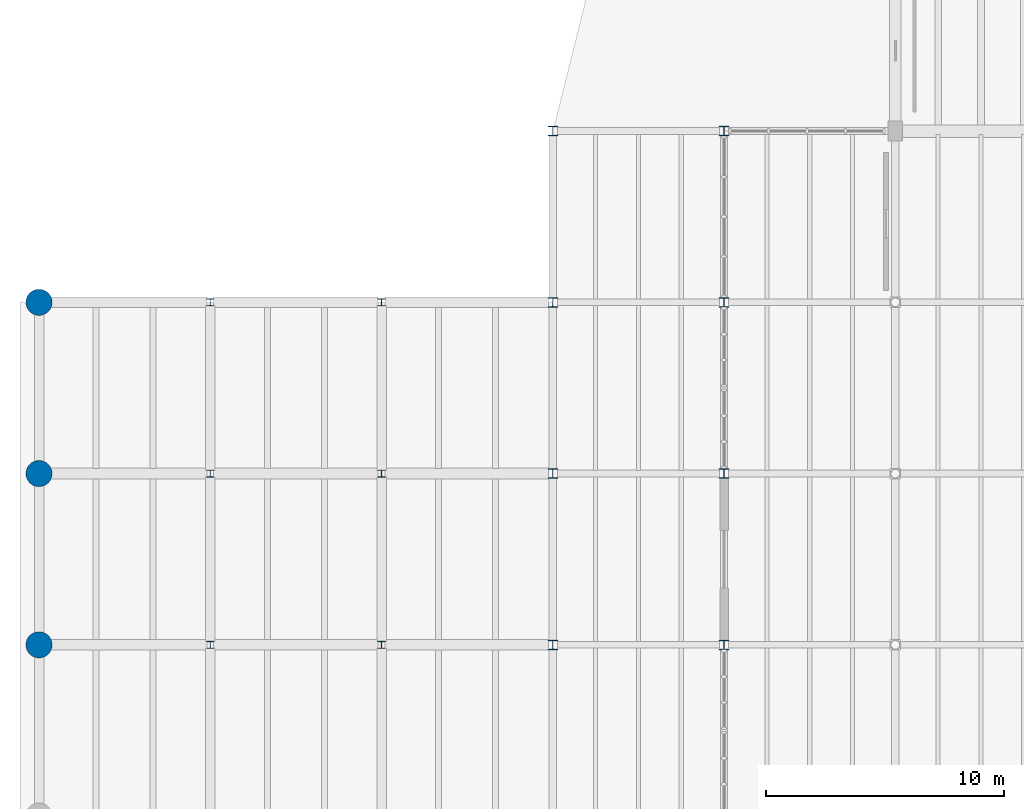
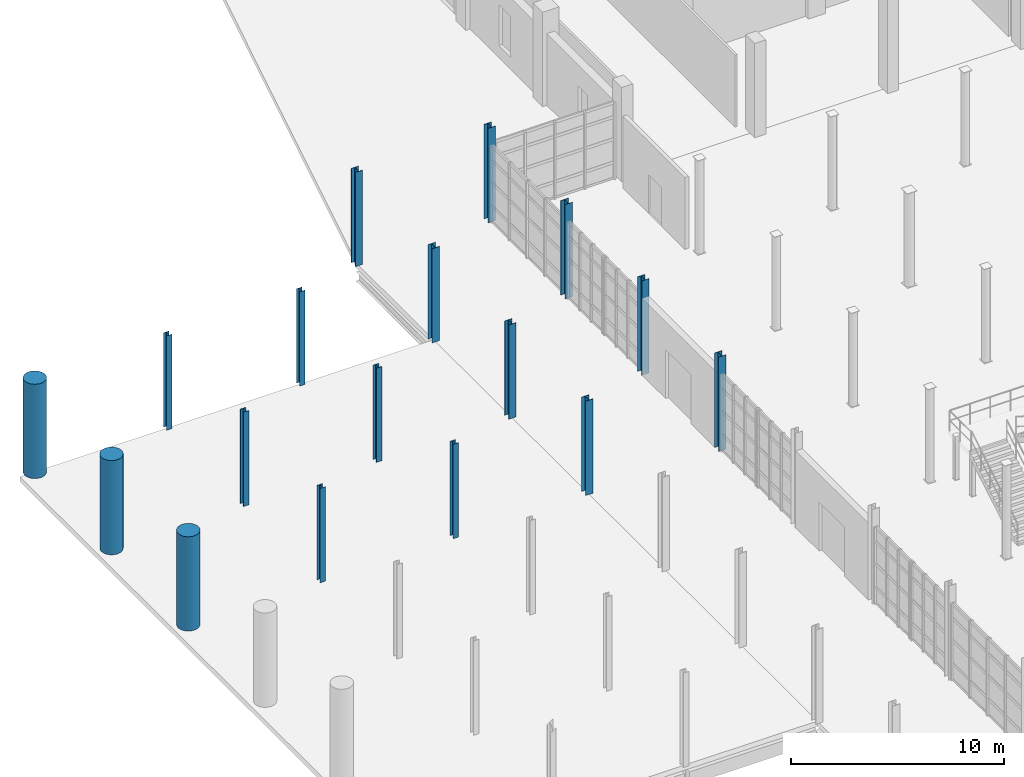
# One storey, part 9 of 79: 17 columns.
"""IFC4 building model written with IfcOpenShell, lengths in metres."""

from ifc_helpers import new_model, si_unit, direction, frame, origin, origin_2d, place, context, subcontext, project, spatial, circle, i_section, extrude, material, material_profile, profile_set, type_object, element, save


model = new_model("IFC4")

# Units and contexts
model_context = context("Model", 3, precision=1e-05, world=origin(), true_north=direction((0.0, 1.0)))
body_context = subcontext(model_context, "Body", "Model", "MODEL_VIEW")
ifc_project = project(units=[si_unit("LENGTHUNIT", "METRE"), si_unit("AREAUNIT", "SQUARE_METRE"), si_unit("VOLUMEUNIT", "CUBIC_METRE"), si_unit("PLANEANGLEUNIT", "RADIAN"), si_unit("MASSUNIT", "GRAM", prefix="KILO")], contexts=[model_context])

# Site, building, storey
site_placement = place(None, origin())
site = spatial("IfcSite", under=ifc_project, at=site_placement, CompositionType="ELEMENT")
building_placement = place(site_placement, origin())
building = spatial("IfcBuilding", under=site, at=building_placement, Name="Qiaolan Assembly House", CompositionType="ELEMENT")
storey_placement = place(building_placement, origin())
storey = spatial("IfcBuildingStorey", under=building, at=storey_placement, Name="L00", CompositionType="ELEMENT", Elevation=0.0)

# Columns
ifc_material_1 = material(Name="Steel Q355B", Category="steel")
ifc_material_profile_1 = material_profile(ifc_material_1, i_section(OverallWidth=0.300048828125, OverallDepth=0.300048828125, WebThickness=0.010009765625, FlangeThickness=0.014892578125, FilletRadius=0.01806640625, at=origin_2d()), Name="HW 300x300x10x15")
ifc_profile_set_1 = profile_set([ifc_material_profile_1], Name="Steel Q355B")
column_type_1 = type_object("IfcColumnType", Name="COL-STL-HW300", PredefinedType="COLUMN", material=ifc_profile_set_1)
for number, where, z_axis, x_axis, name in (
    (1, (7.199951171875, 64.800048828125, 0.0), (0.0, 0.0, 1.0), (1.0, 0.0, 0.0), "SC-03 portico colonnade column L00"),
    (2, (7.199951171875, 72.0, 0.0), (0.0, 0.0, 1.0), (1.0, 0.0, 0.0), "SC-03 portico colonnade column L00"),
    (3, (7.199951171875, 79.199951171875, 0.0), (0.0, 0.0, 1.0), (1.0, 0.0, 0.0), "SC-03 portico colonnade column L00"),
    (4, (14.39990234375, 64.800048828125, 0.0), (0.0, 0.0, 1.0), (1.0, 0.0, 0.0), "SC-03 portico colonnade column L00"),
    (5, (14.39990234375, 72.0, 0.0), (0.0, 0.0, 1.0), (1.0, 0.0, 0.0), "SC-03 portico colonnade column L00"),
    (6, (14.39990234375, 79.199951171875, 0.0), (0.0, 0.0, 1.0), (1.0, 0.0, 0.0), "SC-03 portico colonnade column L00"),
):
    element("IfcColumn", number, at=place(storey_placement, frame(where, z_axis=z_axis, x_axis=x_axis)), inside=storey, type_object=column_type_1, Name=name, PredefinedType="COLUMN", context=body_context, shape_type="SweptSolid", body=[
        extrude(i_section(OverallWidth=0.300048828125, OverallDepth=0.300048828125, WebThickness=0.010009765625, FlangeThickness=0.014892578125, FilletRadius=0.01806640625, at=origin_2d()), origin(), (0.0, 0.0, 1.0), 5.39990234375),
    ])
ifc_material_profile_2 = material_profile(ifc_material_1, i_section(OverallWidth=0.39990234375, OverallDepth=0.39990234375, WebThickness=0.012939453125, FlangeThickness=0.02099609375, FilletRadius=0.02197265625, at=origin_2d()), Name="HW 400x400x13x21")
ifc_profile_set_2 = profile_set([ifc_material_profile_2], Name="Steel Q355B")
column_type_2 = type_object("IfcColumnType", Name="COL-STL-HW400", PredefinedType="COLUMN", material=ifc_profile_set_2)
for number, where, z_axis, x_axis, name in (
    (7, (21.60009765625, 64.800048828125, 0.0), (0.0, 0.0, 1.0), (1.0, 0.0, 0.0), "SC-01 hall column L00"),
    (8, (21.60009765625, 72.0, 0.0), (0.0, 0.0, 1.0), (1.0, 0.0, 0.0), "SC-01 hall column L00"),
    (9, (21.60009765625, 79.199951171875, 0.0), (0.0, 0.0, 1.0), (1.0, 0.0, 0.0), "SC-01 hall column L00"),
    (10, (21.60009765625, 86.39990234375, 0.0), (0.0, 0.0, 1.0), (1.0, 0.0, 0.0), "SC-01 hall column L00"),
    (11, (28.800048828125, 64.800048828125, 0.0), (0.0, 0.0, 1.0), (1.0, 0.0, 0.0), "SC-01 hall column L00"),
    (12, (28.800048828125, 72.0, 0.0), (0.0, 0.0, 1.0), (1.0, 0.0, 0.0), "SC-01 hall column L00"),
    (13, (28.800048828125, 79.199951171875, 0.0), (0.0, 0.0, 1.0), (1.0, 0.0, 0.0), "SC-01 hall column L00"),
    (14, (28.800048828125, 86.39990234375, 0.0), (0.0, 0.0, 1.0), (1.0, 0.0, 0.0), "SC-01 hall column L00"),
):
    element("IfcColumn", number, at=place(storey_placement, frame(where, z_axis=z_axis, x_axis=x_axis)), inside=storey, type_object=column_type_2, Name=name, PredefinedType="COLUMN", context=body_context, shape_type="SweptSolid", body=[
        extrude(i_section(OverallWidth=0.39990234375, OverallDepth=0.39990234375, WebThickness=0.012939453125, FlangeThickness=0.02099609375, FilletRadius=0.02197265625, at=origin_2d()), origin(), (0.0, 0.0, 1.0), 5.39990234375),
    ])
ifc_material_2 = material(Name="Precast concrete C50/60", Category="concrete")
ifc_material_profile_3 = material_profile(ifc_material_2, circle(Radius=0.550048828125, at=origin_2d()), Name="CIRC D1100")
ifc_profile_set_3 = profile_set([ifc_material_profile_3], Name="Precast concrete C50/60")
column_type_3 = type_object("IfcColumnType", Name="PIL-PORTICO-D1100", PredefinedType="PILASTER", material=ifc_profile_set_3)
for number, where, z_axis, x_axis, name in (
    (15, (0.0, 64.800048828125, 0.0), (0.0, 0.0, 1.0), (1.0, 0.0, 0.0), "PL-01 portico colonnade column L00"),
    (16, (0.0, 72.0, 0.0), (0.0, 0.0, 1.0), (1.0, 0.0, 0.0), "PL-01 portico colonnade column L00"),
    (17, (0.0, 79.199951171875, 0.0), (0.0, 0.0, 1.0), (1.0, 0.0, 0.0), "PL-01 portico colonnade column L00"),
):
    element("IfcColumn", number, at=place(storey_placement, frame(where, z_axis=z_axis, x_axis=x_axis)), inside=storey, type_object=column_type_3, Name=name, PredefinedType="PILASTER", context=body_context, shape_type="SweptSolid", body=[
        extrude(circle(Radius=0.550048828125, at=origin_2d()), origin(), (0.0, 0.0, 1.0), 5.39990234375),
    ])

save(model, "model.ifc")
